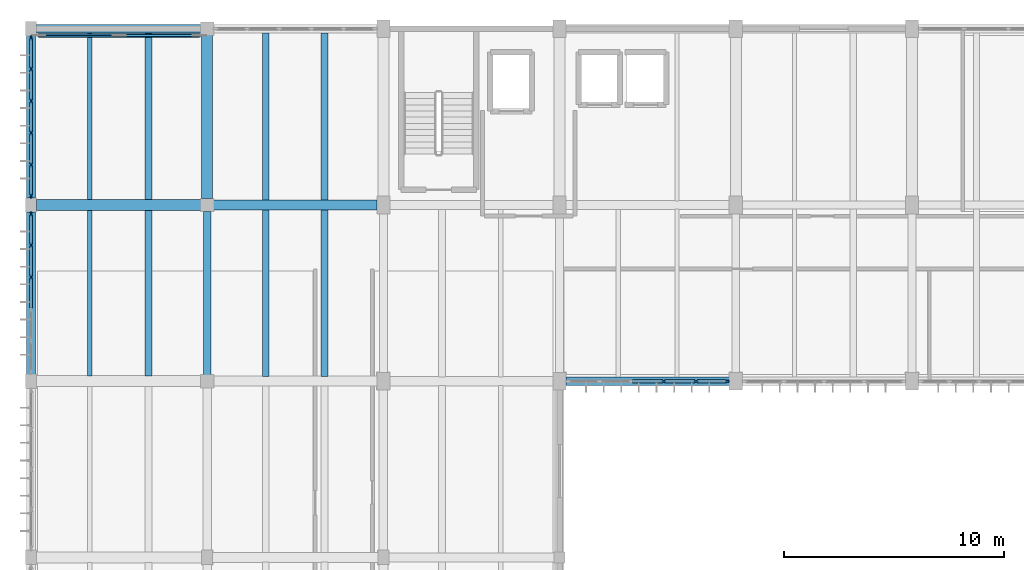
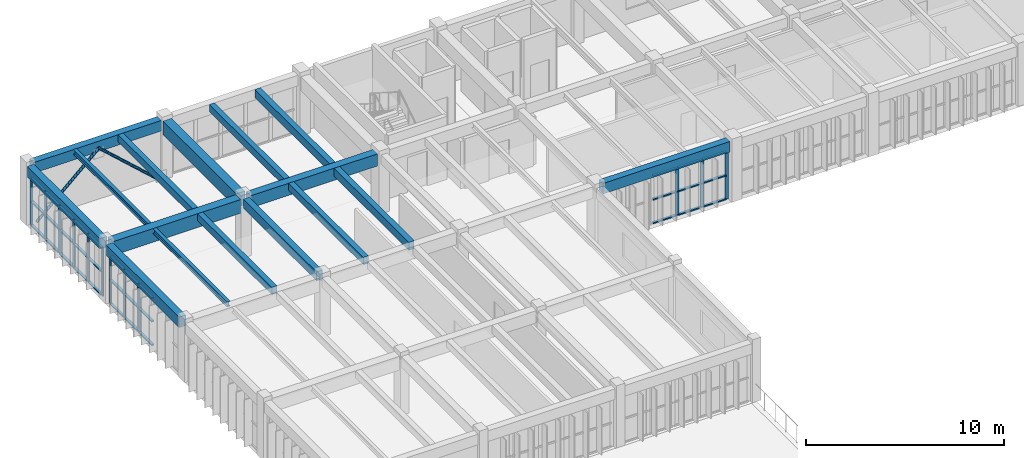
# One storey, part 4 of 31: 47 members, 16 beams, 3 elements without a shape of their own.
"""IFC4 building model written with IfcOpenShell, lengths in metres."""

from ifc_helpers import new_model, si_unit, direction, frame, origin, origin_2d, place, context, subcontext, project, spatial, rectangle, hollow_circle, i_section, extrude, material, material_profile, profile_set, type_object, element, aggregate, save


model = new_model("IFC4")

# Units and contexts
model_context = context("Model", 3, precision=1e-05, world=origin(), true_north=direction((0.0, 1.0)))
body_context = subcontext(model_context, "Body", "Model", "MODEL_VIEW")
ifc_project = project(units=[si_unit("LENGTHUNIT", "METRE"), si_unit("AREAUNIT", "SQUARE_METRE"), si_unit("VOLUMEUNIT", "CUBIC_METRE"), si_unit("PLANEANGLEUNIT", "RADIAN"), si_unit("MASSUNIT", "GRAM", prefix="KILO")], contexts=[model_context])

# Site, building, storey
site_placement = place(None, origin())
site = spatial("IfcSite", under=ifc_project, at=site_placement, CompositionType="ELEMENT")
building_placement = place(site_placement, origin())
building = spatial("IfcBuilding", under=site, at=building_placement, Name="Tlaxcora Railside Police Headquarters", CompositionType="ELEMENT")
storey_placement = place(building_placement, frame((0.0, 0.0, 18.0)))
storey = spatial("IfcBuildingStorey", under=building, at=storey_placement, Name="L04", CompositionType="ELEMENT", Elevation=18.0)

# Curtain wall, members
ifc_material_1 = material(Name="Thermally broken low-E insulated glazing", Category="glass")
curtain_wall_type_1 = type_object("IfcCurtainWallType", Name="Unitised Curtain Wall Assembly CW-38", PredefinedType="NOTDEFINED", material=ifc_material_1)
curtain_wall_1_placement = place(storey_placement, origin())
curtain_wall_1 = element("IfcCurtainWall", 1, at=curtain_wall_1_placement, inside=storey, type_object=curtain_wall_type_1, Name="V5 L04 curtain wall 101", PredefinedType="NOTDEFINED")
ifc_material_2 = material(Name="Anodised aluminium framing", Category="aluminium")
ifc_material_profile_1 = material_profile(ifc_material_2, rectangle(XDim=0.074951171875, YDim=0.205078125, at=origin_2d()), Name="AL75X205")
ifc_profile_set_1 = profile_set([ifc_material_profile_1], Name="Anodised aluminium framing")
member_type_1 = type_object("IfcMemberType", Name="Curtain Wall Mullion CW-32", PredefinedType="MULLION", material=ifc_profile_set_1)
member_1_placement = place(storey_placement, frame((5.199951171875, 92.387451171875, 0.0), z_axis=(0.0, 0.0, 1.0), x_axis=(1.0, 0.0, 0.0)))
member_1 = element("IfcMember", 2, at=member_1_placement, type_object=member_type_1, Name="CW mullion 1", PredefinedType="MULLION", context=body_context, shape_type="SweptSolid", body=[
    extrude(rectangle(XDim=0.074951171875, YDim=0.205078125, at=origin_2d()), origin(), (0.0, 0.0, 1.0), 2.969970703125),
])
member_2_placement = place(storey_placement, frame((5.199951171875, 90.97509765625, 0.0), z_axis=(0.0, 0.0, 1.0), x_axis=(1.0, 0.0, 0.0)))
member_2 = element("IfcMember", 3, at=member_2_placement, type_object=member_type_1, Name="CW mullion 2", PredefinedType="MULLION", context=body_context, shape_type="SweptSolid", body=[
    extrude(rectangle(XDim=0.074951171875, YDim=0.205078125, at=origin_2d()), origin(), (0.0, 0.0, 1.0), 2.969970703125),
])
member_3_placement = place(storey_placement, frame((5.199951171875, 89.52490234375, 0.0), z_axis=(0.0, 0.0, 1.0), x_axis=(1.0, 0.0, 0.0)))
member_3 = element("IfcMember", 4, at=member_3_placement, type_object=member_type_1, Name="CW mullion 3", PredefinedType="MULLION", context=body_context, shape_type="SweptSolid", body=[
    extrude(rectangle(XDim=0.074951171875, YDim=0.205078125, at=origin_2d()), origin(), (0.0, 0.0, 1.0), 2.969970703125),
])
member_4_placement = place(storey_placement, frame((5.199951171875, 88.074951171875, 0.0), z_axis=(0.0, 0.0, 1.0), x_axis=(1.0, 0.0, 0.0)))
member_4 = element("IfcMember", 5, at=member_4_placement, type_object=member_type_1, Name="CW mullion 4", PredefinedType="MULLION", context=body_context, shape_type="SweptSolid", body=[
    extrude(rectangle(XDim=0.074951171875, YDim=0.205078125, at=origin_2d()), origin(), (0.0, 0.0, 1.0), 2.969970703125),
])
member_5_placement = place(storey_placement, frame((5.199951171875, 86.625, 0.0), z_axis=(0.0, 0.0, 1.0), x_axis=(1.0, 0.0, 0.0)))
member_5 = element("IfcMember", 6, at=member_5_placement, type_object=member_type_1, Name="CW mullion 5", PredefinedType="MULLION", context=body_context, shape_type="SweptSolid", body=[
    extrude(rectangle(XDim=0.074951171875, YDim=0.205078125, at=origin_2d()), origin(), (0.0, 0.0, 1.0), 2.969970703125),
])
member_6_placement = place(storey_placement, frame((5.199951171875, 85.21240234375, 0.0), z_axis=(0.0, 0.0, 1.0), x_axis=(1.0, 0.0, 0.0)))
member_6 = element("IfcMember", 7, at=member_6_placement, type_object=member_type_1, Name="CW mullion 6", PredefinedType="MULLION", context=body_context, shape_type="SweptSolid", body=[
    extrude(rectangle(XDim=0.074951171875, YDim=0.205078125, at=origin_2d()), origin(), (0.0, 0.0, 1.0), 2.969970703125),
])

curtain_wall_type_2 = type_object("IfcCurtainWallType", Name="Unitised Curtain Wall Assembly CW-15", PredefinedType="NOTDEFINED", material=ifc_material_1)
curtain_wall_2_placement = place(storey_placement, origin())
curtain_wall_2 = element("IfcCurtainWall", 8, at=curtain_wall_2_placement, inside=storey, type_object=curtain_wall_type_2, Name="V5 L04 curtain wall 90", PredefinedType="NOTDEFINED")
ifc_material_profile_2 = material_profile(ifc_material_2, rectangle(XDim=0.074951171875, YDim=0.199951171875, at=origin_2d()), Name="AL75X200")
ifc_profile_set_2 = profile_set([ifc_material_profile_2], Name="Anodised aluminium framing")
member_type_2 = type_object("IfcMemberType", Name="Curtain Wall Mullion CW-58", PredefinedType="MULLION", material=ifc_profile_set_2)
member_7_placement = place(storey_placement, frame((33.929931640625, 76.800048828125, 0.0), z_axis=(0.0, 0.0, 1.0), x_axis=(0.0, 1.0, 0.0)))
member_7 = element("IfcMember", 9, at=member_7_placement, type_object=member_type_2, Name="CW mullion 4", PredefinedType="MULLION", context=body_context, shape_type="SweptSolid", body=[
    extrude(rectangle(XDim=0.074951171875, YDim=0.199951171875, at=origin_2d()), origin(), (0.0, 0.0, 1.0), 2.969970703125),
])
member_8_placement = place(storey_placement, frame((35.389892578125, 76.800048828125, 0.0), z_axis=(0.0, 0.0, 1.0), x_axis=(0.0, 1.0, 0.0)))
member_8 = element("IfcMember", 10, at=member_8_placement, type_object=member_type_2, Name="CW mullion 5", PredefinedType="MULLION", context=body_context, shape_type="SweptSolid", body=[
    extrude(rectangle(XDim=0.074951171875, YDim=0.199951171875, at=origin_2d()), origin(), (0.0, 0.0, 1.0), 2.969970703125),
])
member_9_placement = place(storey_placement, frame((36.8125, 76.800048828125, 0.0), z_axis=(0.0, 0.0, 1.0), x_axis=(0.0, 1.0, 0.0)))
member_9 = element("IfcMember", 11, at=member_9_placement, type_object=member_type_2, Name="CW mullion 6", PredefinedType="MULLION", context=body_context, shape_type="SweptSolid", body=[
    extrude(rectangle(XDim=0.074951171875, YDim=0.199951171875, at=origin_2d()), origin(), (0.0, 0.0, 1.0), 2.969970703125),
])

curtain_wall_3_placement = place(storey_placement, origin())
curtain_wall_3 = element("IfcCurtainWall", 12, at=curtain_wall_3_placement, inside=storey, type_object=curtain_wall_type_2, Name="V5 L04 curtain wall 102", PredefinedType="NOTDEFINED")
member_10_placement = place(storey_placement, frame((5.199951171875, 84.387451171875, 0.0), z_axis=(0.0, 0.0, 1.0), x_axis=(1.0, 0.0, 0.0)))
member_10 = element("IfcMember", 13, at=member_10_placement, type_object=member_type_2, Name="CW mullion 1", PredefinedType="MULLION", context=body_context, shape_type="SweptSolid", body=[
    extrude(rectangle(XDim=0.074951171875, YDim=0.199951171875, at=origin_2d()), origin(), (0.0, 0.0, 1.0), 2.969970703125),
])
member_11_placement = place(storey_placement, frame((5.199951171875, 82.97509765625, 0.0), z_axis=(0.0, 0.0, 1.0), x_axis=(1.0, 0.0, 0.0)))
member_11 = element("IfcMember", 14, at=member_11_placement, type_object=member_type_2, Name="CW mullion 2", PredefinedType="MULLION", context=body_context, shape_type="SweptSolid", body=[
    extrude(rectangle(XDim=0.074951171875, YDim=0.199951171875, at=origin_2d()), origin(), (0.0, 0.0, 1.0), 2.969970703125),
])
member_12_placement = place(storey_placement, frame((5.199951171875, 81.52490234375, 0.0), z_axis=(0.0, 0.0, 1.0), x_axis=(1.0, 0.0, 0.0)))
member_12 = element("IfcMember", 15, at=member_12_placement, type_object=member_type_2, Name="CW mullion 3", PredefinedType="MULLION", context=body_context, shape_type="SweptSolid", body=[
    extrude(rectangle(XDim=0.074951171875, YDim=0.199951171875, at=origin_2d()), origin(), (0.0, 0.0, 1.0), 2.969970703125),
])

# Member
ifc_material_profile_3 = material_profile(ifc_material_2, rectangle(XDim=0.14990234375, YDim=0.074951171875, at=origin_2d()), Name="AL75X150")
ifc_profile_set_3 = profile_set([ifc_material_profile_3], Name="Anodised aluminium framing")
member_type_3 = type_object("IfcMemberType", Name="Curtain Wall Transom CW-28", PredefinedType="USERDEFINED", material=ifc_profile_set_3)
member_13_placement = place(storey_placement, frame((32.507568359375, 76.800048828125, 0.03759765625), z_axis=(1.0, 0.0, 0.0), x_axis=(0.0, 1.0, 0.0)))
member_13 = element("IfcMember", 16, at=member_13_placement, type_object=member_type_3, Name="CW transom 3.1", ObjectType="TRANSOM", PredefinedType="USERDEFINED", context=body_context, shape_type="SweptSolid", body=[
    extrude(rectangle(XDim=0.14990234375, YDim=0.074951171875, at=origin_2d()), origin(), (0.0, 0.0, 1.0), 1.385009765625),
])

member_14_placement = place(storey_placement, frame((32.507568359375, 76.800048828125, 1.4951171875), z_axis=(1.0, 0.0, 0.0), x_axis=(0.0, 1.0, 0.0)))
member_14 = element("IfcMember", 17, at=member_14_placement, type_object=member_type_3, Name="CW transom 3.2", ObjectType="TRANSOM", PredefinedType="USERDEFINED", context=body_context, shape_type="SweptSolid", body=[
    extrude(rectangle(XDim=0.14990234375, YDim=0.074951171875, at=origin_2d()), origin(), (0.0, 0.0, 1.0), 1.385009765625),
])

member_15_placement = place(storey_placement, frame((32.507568359375, 76.800048828125, 2.9326171875), z_axis=(1.0, 0.0, 0.0), x_axis=(0.0, 1.0, 0.0)))
member_15 = element("IfcMember", 18, at=member_15_placement, type_object=member_type_3, Name="CW transom 3.3", ObjectType="TRANSOM", PredefinedType="USERDEFINED", context=body_context, shape_type="SweptSolid", body=[
    extrude(rectangle(XDim=0.14990234375, YDim=0.074951171875, at=origin_2d()), origin(), (0.0, 0.0, 1.0), 1.385009765625),
])

member_16_placement = place(storey_placement, frame((33.967529296875, 76.800048828125, 0.03759765625), z_axis=(1.0, 0.0, 0.0), x_axis=(0.0, 1.0, 0.0)))
member_16 = element("IfcMember", 19, at=member_16_placement, type_object=member_type_3, Name="CW transom 4.1", ObjectType="TRANSOM", PredefinedType="USERDEFINED", context=body_context, shape_type="SweptSolid", body=[
    extrude(rectangle(XDim=0.14990234375, YDim=0.074951171875, at=origin_2d()), origin(), (0.0, 0.0, 1.0), 1.385009765625),
])

member_17_placement = place(storey_placement, frame((33.967529296875, 76.800048828125, 1.4951171875), z_axis=(1.0, 0.0, 0.0), x_axis=(0.0, 1.0, 0.0)))
member_17 = element("IfcMember", 20, at=member_17_placement, type_object=member_type_3, Name="CW transom 4.2", ObjectType="TRANSOM", PredefinedType="USERDEFINED", context=body_context, shape_type="SweptSolid", body=[
    extrude(rectangle(XDim=0.14990234375, YDim=0.074951171875, at=origin_2d()), origin(), (0.0, 0.0, 1.0), 1.385009765625),
])

member_18_placement = place(storey_placement, frame((33.967529296875, 76.800048828125, 2.9326171875), z_axis=(1.0, 0.0, 0.0), x_axis=(0.0, 1.0, 0.0)))
member_18 = element("IfcMember", 21, at=member_18_placement, type_object=member_type_3, Name="CW transom 4.3", ObjectType="TRANSOM", PredefinedType="USERDEFINED", context=body_context, shape_type="SweptSolid", body=[
    extrude(rectangle(XDim=0.14990234375, YDim=0.074951171875, at=origin_2d()), origin(), (0.0, 0.0, 1.0), 1.385009765625),
])

member_19_placement = place(storey_placement, frame((35.427490234375, 76.800048828125, 0.03759765625), z_axis=(1.0, 0.0, 0.0), x_axis=(0.0, 1.0, 0.0)))
member_19 = element("IfcMember", 22, at=member_19_placement, type_object=member_type_3, Name="CW transom 5.1", ObjectType="TRANSOM", PredefinedType="USERDEFINED", context=body_context, shape_type="SweptSolid", body=[
    extrude(rectangle(XDim=0.14990234375, YDim=0.074951171875, at=origin_2d()), origin(), (0.0, 0.0, 1.0), 1.347412109375),
])

member_20_placement = place(storey_placement, frame((35.427490234375, 76.800048828125, 1.4951171875), z_axis=(1.0, 0.0, 0.0), x_axis=(0.0, 1.0, 0.0)))
member_20 = element("IfcMember", 23, at=member_20_placement, type_object=member_type_3, Name="CW transom 5.2", ObjectType="TRANSOM", PredefinedType="USERDEFINED", context=body_context, shape_type="SweptSolid", body=[
    extrude(rectangle(XDim=0.14990234375, YDim=0.074951171875, at=origin_2d()), origin(), (0.0, 0.0, 1.0), 1.347412109375),
])

member_21_placement = place(storey_placement, frame((35.427490234375, 76.800048828125, 2.9326171875), z_axis=(1.0, 0.0, 0.0), x_axis=(0.0, 1.0, 0.0)))
member_21 = element("IfcMember", 24, at=member_21_placement, type_object=member_type_3, Name="CW transom 5.3", ObjectType="TRANSOM", PredefinedType="USERDEFINED", context=body_context, shape_type="SweptSolid", body=[
    extrude(rectangle(XDim=0.14990234375, YDim=0.074951171875, at=origin_2d()), origin(), (0.0, 0.0, 1.0), 1.347412109375),
])

aggregate(curtain_wall_2, [member_7, member_8, member_9, member_13, member_14, member_15, member_16, member_17, member_18, member_19, member_20, member_21])

member_22_placement = place(storey_placement, frame((5.199951171875, 84.35009765625, 0.03759765625), z_axis=(0.0, -1.0, 0.0), x_axis=(1.0, 0.0, 0.0)))
member_22 = element("IfcMember", 25, at=member_22_placement, type_object=member_type_3, Name="CW transom 1.1", ObjectType="TRANSOM", PredefinedType="USERDEFINED", context=body_context, shape_type="SweptSolid", body=[
    extrude(rectangle(XDim=0.14990234375, YDim=0.074951171875, at=origin_2d()), origin(), (0.0, 0.0, 1.0), 1.337646484375),
])

member_23_placement = place(storey_placement, frame((5.199951171875, 84.35009765625, 1.4951171875), z_axis=(0.0, -1.0, 0.0), x_axis=(1.0, 0.0, 0.0)))
member_23 = element("IfcMember", 26, at=member_23_placement, type_object=member_type_3, Name="CW transom 1.2", ObjectType="TRANSOM", PredefinedType="USERDEFINED", context=body_context, shape_type="SweptSolid", body=[
    extrude(rectangle(XDim=0.14990234375, YDim=0.074951171875, at=origin_2d()), origin(), (0.0, 0.0, 1.0), 1.337646484375),
])

member_24_placement = place(storey_placement, frame((5.199951171875, 84.35009765625, 2.9326171875), z_axis=(0.0, -1.0, 0.0), x_axis=(1.0, 0.0, 0.0)))
member_24 = element("IfcMember", 27, at=member_24_placement, type_object=member_type_3, Name="CW transom 1.3", ObjectType="TRANSOM", PredefinedType="USERDEFINED", context=body_context, shape_type="SweptSolid", body=[
    extrude(rectangle(XDim=0.14990234375, YDim=0.074951171875, at=origin_2d()), origin(), (0.0, 0.0, 1.0), 1.337646484375),
])

member_25_placement = place(storey_placement, frame((5.199951171875, 82.9375, 0.03759765625), z_axis=(0.0, -1.0, 0.0), x_axis=(1.0, 0.0, 0.0)))
member_25 = element("IfcMember", 28, at=member_25_placement, type_object=member_type_3, Name="CW transom 2.1", ObjectType="TRANSOM", PredefinedType="USERDEFINED", context=body_context, shape_type="SweptSolid", body=[
    extrude(rectangle(XDim=0.14990234375, YDim=0.074951171875, at=origin_2d()), origin(), (0.0, 0.0, 1.0), 1.375),
])

member_26_placement = place(storey_placement, frame((5.199951171875, 82.9375, 1.4951171875), z_axis=(0.0, -1.0, 0.0), x_axis=(1.0, 0.0, 0.0)))
member_26 = element("IfcMember", 29, at=member_26_placement, type_object=member_type_3, Name="CW transom 2.2", ObjectType="TRANSOM", PredefinedType="USERDEFINED", context=body_context, shape_type="SweptSolid", body=[
    extrude(rectangle(XDim=0.14990234375, YDim=0.074951171875, at=origin_2d()), origin(), (0.0, 0.0, 1.0), 1.375),
])

member_27_placement = place(storey_placement, frame((5.199951171875, 82.9375, 2.9326171875), z_axis=(0.0, -1.0, 0.0), x_axis=(1.0, 0.0, 0.0)))
member_27 = element("IfcMember", 30, at=member_27_placement, type_object=member_type_3, Name="CW transom 2.3", ObjectType="TRANSOM", PredefinedType="USERDEFINED", context=body_context, shape_type="SweptSolid", body=[
    extrude(rectangle(XDim=0.14990234375, YDim=0.074951171875, at=origin_2d()), origin(), (0.0, 0.0, 1.0), 1.375),
])

member_28_placement = place(storey_placement, frame((5.199951171875, 81.487548828125, 0.03759765625), z_axis=(0.0, -1.0, 0.0), x_axis=(1.0, 0.0, 0.0)))
member_28 = element("IfcMember", 31, at=member_28_placement, type_object=member_type_3, Name="CW transom 3.1", ObjectType="TRANSOM", PredefinedType="USERDEFINED", context=body_context, shape_type="SweptSolid", body=[
    extrude(rectangle(XDim=0.14990234375, YDim=0.074951171875, at=origin_2d()), origin(), (0.0, 0.0, 1.0), 1.375),
])

member_29_placement = place(storey_placement, frame((5.199951171875, 81.487548828125, 1.4951171875), z_axis=(0.0, -1.0, 0.0), x_axis=(1.0, 0.0, 0.0)))
member_29 = element("IfcMember", 32, at=member_29_placement, type_object=member_type_3, Name="CW transom 3.2", ObjectType="TRANSOM", PredefinedType="USERDEFINED", context=body_context, shape_type="SweptSolid", body=[
    extrude(rectangle(XDim=0.14990234375, YDim=0.074951171875, at=origin_2d()), origin(), (0.0, 0.0, 1.0), 1.375),
])

member_30_placement = place(storey_placement, frame((5.199951171875, 81.487548828125, 2.9326171875), z_axis=(0.0, -1.0, 0.0), x_axis=(1.0, 0.0, 0.0)))
member_30 = element("IfcMember", 33, at=member_30_placement, type_object=member_type_3, Name="CW transom 3.3", ObjectType="TRANSOM", PredefinedType="USERDEFINED", context=body_context, shape_type="SweptSolid", body=[
    extrude(rectangle(XDim=0.14990234375, YDim=0.074951171875, at=origin_2d()), origin(), (0.0, 0.0, 1.0), 1.375),
])

aggregate(curtain_wall_3, [member_10, member_11, member_12, member_22, member_23, member_24, member_25, member_26, member_27, member_28, member_29, member_30])

ifc_material_profile_4 = material_profile(ifc_material_2, rectangle(XDim=0.155029296875, YDim=0.074951171875, at=origin_2d()), Name="AL75X155")
ifc_profile_set_4 = profile_set([ifc_material_profile_4], Name="Anodised aluminium framing")
member_type_4 = type_object("IfcMemberType", Name="Curtain Wall Transom CW-30", PredefinedType="USERDEFINED", material=ifc_profile_set_4)
member_31_placement = place(storey_placement, frame((5.199951171875, 92.35009765625, 0.03759765625), z_axis=(0.0, -1.0, 0.0), x_axis=(1.0, 0.0, 0.0)))
member_31 = element("IfcMember", 34, at=member_31_placement, type_object=member_type_4, Name="CW transom 1.1", ObjectType="TRANSOM", PredefinedType="USERDEFINED", context=body_context, shape_type="SweptSolid", body=[
    extrude(rectangle(XDim=0.155029296875, YDim=0.074951171875, at=origin_2d()), origin(), (0.0, 0.0, 1.0), 1.337646484375),
])

member_32_placement = place(storey_placement, frame((5.199951171875, 92.35009765625, 1.4951171875), z_axis=(0.0, -1.0, 0.0), x_axis=(1.0, 0.0, 0.0)))
member_32 = element("IfcMember", 35, at=member_32_placement, type_object=member_type_4, Name="CW transom 1.2", ObjectType="TRANSOM", PredefinedType="USERDEFINED", context=body_context, shape_type="SweptSolid", body=[
    extrude(rectangle(XDim=0.155029296875, YDim=0.074951171875, at=origin_2d()), origin(), (0.0, 0.0, 1.0), 1.337646484375),
])

member_33_placement = place(storey_placement, frame((5.199951171875, 92.35009765625, 2.9326171875), z_axis=(0.0, -1.0, 0.0), x_axis=(1.0, 0.0, 0.0)))
member_33 = element("IfcMember", 36, at=member_33_placement, type_object=member_type_4, Name="CW transom 1.3", ObjectType="TRANSOM", PredefinedType="USERDEFINED", context=body_context, shape_type="SweptSolid", body=[
    extrude(rectangle(XDim=0.155029296875, YDim=0.074951171875, at=origin_2d()), origin(), (0.0, 0.0, 1.0), 1.337646484375),
])

member_34_placement = place(storey_placement, frame((5.199951171875, 90.9375, 0.03759765625), z_axis=(0.0, -1.0, 0.0), x_axis=(1.0, 0.0, 0.0)))
member_34 = element("IfcMember", 37, at=member_34_placement, type_object=member_type_4, Name="CW transom 2.1", ObjectType="TRANSOM", PredefinedType="USERDEFINED", context=body_context, shape_type="SweptSolid", body=[
    extrude(rectangle(XDim=0.155029296875, YDim=0.074951171875, at=origin_2d()), origin(), (0.0, 0.0, 1.0), 1.375),
])

member_35_placement = place(storey_placement, frame((5.199951171875, 90.9375, 1.4951171875), z_axis=(0.0, -1.0, 0.0), x_axis=(1.0, 0.0, 0.0)))
member_35 = element("IfcMember", 38, at=member_35_placement, type_object=member_type_4, Name="CW transom 2.2", ObjectType="TRANSOM", PredefinedType="USERDEFINED", context=body_context, shape_type="SweptSolid", body=[
    extrude(rectangle(XDim=0.155029296875, YDim=0.074951171875, at=origin_2d()), origin(), (0.0, 0.0, 1.0), 1.375),
])

member_36_placement = place(storey_placement, frame((5.199951171875, 90.9375, 2.9326171875), z_axis=(0.0, -1.0, 0.0), x_axis=(1.0, 0.0, 0.0)))
member_36 = element("IfcMember", 39, at=member_36_placement, type_object=member_type_4, Name="CW transom 2.3", ObjectType="TRANSOM", PredefinedType="USERDEFINED", context=body_context, shape_type="SweptSolid", body=[
    extrude(rectangle(XDim=0.155029296875, YDim=0.074951171875, at=origin_2d()), origin(), (0.0, 0.0, 1.0), 1.375),
])

member_37_placement = place(storey_placement, frame((5.199951171875, 89.487548828125, 0.03759765625), z_axis=(0.0, -1.0, 0.0), x_axis=(1.0, 0.0, 0.0)))
member_37 = element("IfcMember", 40, at=member_37_placement, type_object=member_type_4, Name="CW transom 3.1", ObjectType="TRANSOM", PredefinedType="USERDEFINED", context=body_context, shape_type="SweptSolid", body=[
    extrude(rectangle(XDim=0.155029296875, YDim=0.074951171875, at=origin_2d()), origin(), (0.0, 0.0, 1.0), 1.375),
])

member_38_placement = place(storey_placement, frame((5.199951171875, 89.487548828125, 1.4951171875), z_axis=(0.0, -1.0, 0.0), x_axis=(1.0, 0.0, 0.0)))
member_38 = element("IfcMember", 41, at=member_38_placement, type_object=member_type_4, Name="CW transom 3.2", ObjectType="TRANSOM", PredefinedType="USERDEFINED", context=body_context, shape_type="SweptSolid", body=[
    extrude(rectangle(XDim=0.155029296875, YDim=0.074951171875, at=origin_2d()), origin(), (0.0, 0.0, 1.0), 1.375),
])

member_39_placement = place(storey_placement, frame((5.199951171875, 89.487548828125, 2.9326171875), z_axis=(0.0, -1.0, 0.0), x_axis=(1.0, 0.0, 0.0)))
member_39 = element("IfcMember", 42, at=member_39_placement, type_object=member_type_4, Name="CW transom 3.3", ObjectType="TRANSOM", PredefinedType="USERDEFINED", context=body_context, shape_type="SweptSolid", body=[
    extrude(rectangle(XDim=0.155029296875, YDim=0.074951171875, at=origin_2d()), origin(), (0.0, 0.0, 1.0), 1.375),
])

member_40_placement = place(storey_placement, frame((5.199951171875, 88.03759765625, 0.03759765625), z_axis=(0.0, -1.0, 0.0), x_axis=(1.0, 0.0, 0.0)))
member_40 = element("IfcMember", 43, at=member_40_placement, type_object=member_type_4, Name="CW transom 4.1", ObjectType="TRANSOM", PredefinedType="USERDEFINED", context=body_context, shape_type="SweptSolid", body=[
    extrude(rectangle(XDim=0.155029296875, YDim=0.074951171875, at=origin_2d()), origin(), (0.0, 0.0, 1.0), 1.375),
])

member_41_placement = place(storey_placement, frame((5.199951171875, 88.03759765625, 1.4951171875), z_axis=(0.0, -1.0, 0.0), x_axis=(1.0, 0.0, 0.0)))
member_41 = element("IfcMember", 44, at=member_41_placement, type_object=member_type_4, Name="CW transom 4.2", ObjectType="TRANSOM", PredefinedType="USERDEFINED", context=body_context, shape_type="SweptSolid", body=[
    extrude(rectangle(XDim=0.155029296875, YDim=0.074951171875, at=origin_2d()), origin(), (0.0, 0.0, 1.0), 1.375),
])

member_42_placement = place(storey_placement, frame((5.199951171875, 88.03759765625, 2.9326171875), z_axis=(0.0, -1.0, 0.0), x_axis=(1.0, 0.0, 0.0)))
member_42 = element("IfcMember", 45, at=member_42_placement, type_object=member_type_4, Name="CW transom 4.3", ObjectType="TRANSOM", PredefinedType="USERDEFINED", context=body_context, shape_type="SweptSolid", body=[
    extrude(rectangle(XDim=0.155029296875, YDim=0.074951171875, at=origin_2d()), origin(), (0.0, 0.0, 1.0), 1.375),
])

member_43_placement = place(storey_placement, frame((5.199951171875, 86.58740234375, 0.03759765625), z_axis=(0.0, -1.0, 0.0), x_axis=(1.0, 0.0, 0.0)))
member_43 = element("IfcMember", 46, at=member_43_placement, type_object=member_type_4, Name="CW transom 5.1", ObjectType="TRANSOM", PredefinedType="USERDEFINED", context=body_context, shape_type="SweptSolid", body=[
    extrude(rectangle(XDim=0.155029296875, YDim=0.074951171875, at=origin_2d()), origin(), (0.0, 0.0, 1.0), 1.33740234375),
])

member_44_placement = place(storey_placement, frame((5.199951171875, 86.58740234375, 1.4951171875), z_axis=(0.0, -1.0, 0.0), x_axis=(1.0, 0.0, 0.0)))
member_44 = element("IfcMember", 47, at=member_44_placement, type_object=member_type_4, Name="CW transom 5.2", ObjectType="TRANSOM", PredefinedType="USERDEFINED", context=body_context, shape_type="SweptSolid", body=[
    extrude(rectangle(XDim=0.155029296875, YDim=0.074951171875, at=origin_2d()), origin(), (0.0, 0.0, 1.0), 1.33740234375),
])

member_45_placement = place(storey_placement, frame((5.199951171875, 86.58740234375, 2.9326171875), z_axis=(0.0, -1.0, 0.0), x_axis=(1.0, 0.0, 0.0)))
member_45 = element("IfcMember", 48, at=member_45_placement, type_object=member_type_4, Name="CW transom 5.3", ObjectType="TRANSOM", PredefinedType="USERDEFINED", context=body_context, shape_type="SweptSolid", body=[
    extrude(rectangle(XDim=0.155029296875, YDim=0.074951171875, at=origin_2d()), origin(), (0.0, 0.0, 1.0), 1.33740234375),
])

aggregate(curtain_wall_1, [member_1, member_2, member_3, member_4, member_5, member_6, member_31, member_32, member_33, member_34, member_35, member_36, member_37, member_38, member_39, member_40, member_41, member_42, member_43, member_44, member_45])

# Members
ifc_material_3 = material(Name="Steel ASTM A992 Grade 50", Category="steel")
ifc_material_profile_5 = material_profile(ifc_material_3, hollow_circle(Radius=0.083984375, WallThickness=0.008056640625, at=origin_2d()), Name="CHS168X8")
ifc_profile_set_5 = profile_set([ifc_material_profile_5], Name="Steel ASTM A992 Grade 50")
member_type_5 = type_object("IfcMemberType", Name="Diagonal Brace Member MB-55", PredefinedType="BRACE", material=ifc_profile_set_5)
for number, where, z_axis, x_axis, name in (
    (49, (5.550048828125, 92.5, 0.0), (0.74176259796, 0.0, 0.670662544256), (0.0, 1.0, 0.0), "Chevron brace 4A"),
    (50, (12.85009765625, 92.5, 0.0), (-0.741784913524, 0.0, 0.67063786209), (0.0, -1.0, 0.0), "Chevron brace 4B"),
):
    element("IfcMember", number, at=place(storey_placement, frame(where, z_axis=z_axis, x_axis=x_axis)), inside=storey, type_object=member_type_5, Name=name, PredefinedType="BRACE", context=body_context, shape_type="SweptSolid", body=[
        extrude(hollow_circle(Radius=0.083984375, WallThickness=0.008056640625, at=origin_2d()), origin(), (0.0, 0.0, 1.0), 4.920654296875),
    ])

# Beams
ifc_material_4 = material(Name="Concrete C40/50", Category="concrete")
ifc_material_profile_6 = material_profile(ifc_material_4, rectangle(XDim=0.39990234375, YDim=0.64990234375, at=origin_2d()), Name="RC400X650")
ifc_profile_set_6 = profile_set([ifc_material_profile_6], Name="Concrete C40/50")
beam_type_1 = type_object("IfcBeamType", Name="Perimeter Spandrel Beam BM-46", PredefinedType="SPANDREL", material=ifc_profile_set_6)
beam_1_placement = place(storey_placement, frame((29.489990234375, 76.800048828125, 3.31494140625), z_axis=(1.0, 0.0, 0.0), x_axis=(0.0, 1.0, 0.0)))
element("IfcBeam", 51, at=beam_1_placement, inside=storey, type_object=beam_type_1, Name="V5 L04 X-girder Y=76.8", PredefinedType="SPANDREL", context=body_context, shape_type="SweptSolid", body=[
    extrude(rectangle(XDim=0.39990234375, YDim=0.64990234375, at=origin_2d()), origin(), (0.0, 0.0, 1.0), 7.419921875),
])
beam_2_placement = place(storey_placement, frame((5.43994140625, 92.800048828125, 3.31494140625), z_axis=(1.0, 0.0, 0.0), x_axis=(0.0, 1.0, 0.0)))
element("IfcBeam", 52, at=beam_2_placement, inside=storey, type_object=beam_type_1, Name="V5 L04 X-girder Y=92.8", PredefinedType="SPANDREL", context=body_context, shape_type="SweptSolid", body=[
    extrude(rectangle(XDim=0.39990234375, YDim=0.64990234375, at=origin_2d()), origin(), (0.0, 0.0, 1.0), 7.469970703125),
])
for number, where, z_axis, x_axis, name in (
    (53, (5.199951171875, 77.114990234375, 3.31494140625), (0.0, 1.0, 0.0), (-1.0, 0.0, 0.0), "V5 L04 Y-girder X=5.2"),
    (54, (5.199951171875, 85.114990234375, 3.31494140625), (0.0, 1.0, 0.0), (-1.0, 0.0, 0.0), "V5 L04 Y-girder X=5.2"),
):
    element("IfcBeam", number, at=place(storey_placement, frame(where, z_axis=z_axis, x_axis=x_axis)), inside=storey, type_object=beam_type_1, Name=name, PredefinedType="SPANDREL", context=body_context, shape_type="SweptSolid", body=[
        extrude(rectangle(XDim=0.39990234375, YDim=0.64990234375, at=origin_2d()), origin(), (0.0, 0.0, 1.0), 7.3701171875),
    ])
ifc_material_profile_7 = material_profile(ifc_material_4, rectangle(XDim=0.35009765625, YDim=0.550048828125, at=origin_2d()), Name="RC350X550")
ifc_profile_set_7 = profile_set([ifc_material_profile_7], Name="Concrete C40/50")
beam_type_2 = type_object("IfcBeamType", Name="Primary Frame Girder BM-39", PredefinedType="BEAM", material=ifc_profile_set_7)
beam_3_placement = place(storey_placement, frame((13.199951171875, 77.090087890625, 3.364990234375), z_axis=(0.0, 1.0, 0.0), x_axis=(-1.0, 0.0, 0.0)))
element("IfcBeam", 55, at=beam_3_placement, inside=storey, type_object=beam_type_2, Name="V5 L04 Y-girder X=13.2", PredefinedType="BEAM", context=body_context, shape_type="SweptSolid", body=[
    extrude(rectangle(XDim=0.35009765625, YDim=0.550048828125, at=origin_2d()), origin(), (0.0, 0.0, 1.0), 7.419921875),
])
ifc_material_profile_8 = material_profile(ifc_material_4, rectangle(XDim=0.5, YDim=0.85009765625, at=origin_2d()), Name="RC500X850")
ifc_profile_set_8 = profile_set([ifc_material_profile_8], Name="Concrete C40/50")
beam_type_3 = type_object("IfcBeamType", Name="Primary Frame Girder BM-64", PredefinedType="BEAM", material=ifc_profile_set_8)
beam_4_placement = place(storey_placement, frame((5.43994140625, 84.800048828125, 3.215087890625), z_axis=(1.0, 0.0, 0.0), x_axis=(0.0, 1.0, 0.0)))
element("IfcBeam", 56, at=beam_4_placement, inside=storey, type_object=beam_type_3, Name="V5 L04 X-girder Y=84.8", PredefinedType="BEAM", context=body_context, shape_type="SweptSolid", body=[
    extrude(rectangle(XDim=0.5, YDim=0.85009765625, at=origin_2d()), origin(), (0.0, 0.0, 1.0), 7.469970703125),
])
beam_5_placement = place(storey_placement, frame((13.199951171875, 85.090087890625, 3.215087890625), z_axis=(0.0, 1.0, 0.0), x_axis=(-1.0, 0.0, 0.0)))
element("IfcBeam", 57, at=beam_5_placement, inside=storey, type_object=beam_type_3, Name="V5 L04 Y-girder X=13.2", PredefinedType="BEAM", context=body_context, shape_type="SweptSolid", body=[
    extrude(rectangle(XDim=0.5, YDim=0.85009765625, at=origin_2d()), origin(), (0.0, 0.0, 1.0), 7.419921875),
])
ifc_material_profile_9 = material_profile(ifc_material_4, rectangle(XDim=0.449951171875, YDim=0.75, at=origin_2d()), Name="RC450X750")
ifc_profile_set_9 = profile_set([ifc_material_profile_9], Name="Concrete C40/50")
beam_type_4 = type_object("IfcBeamType", Name="Primary Frame Girder BM-73", PredefinedType="BEAM", material=ifc_profile_set_9)
beam_6_placement = place(storey_placement, frame((13.489990234375, 84.800048828125, 3.264892578125), z_axis=(1.0, 0.0, 0.0), x_axis=(0.0, 1.0, 0.0)))
element("IfcBeam", 58, at=beam_6_placement, inside=storey, type_object=beam_type_4, Name="V5 L04 X-girder Y=84.8", PredefinedType="BEAM", context=body_context, shape_type="SweptSolid", body=[
    extrude(rectangle(XDim=0.449951171875, YDim=0.75, at=origin_2d()), origin(), (0.0, 0.0, 1.0), 7.419921875),
])
ifc_material_5 = material(Name="Concrete C35/45", Category="concrete")
ifc_material_profile_10 = material_profile(ifc_material_5, rectangle(XDim=0.300048828125, YDim=0.449951171875, at=origin_2d()), Name="RC300X450")
ifc_profile_set_10 = profile_set([ifc_material_profile_10], Name="Concrete C35/45")
beam_type_5 = type_object("IfcBeamType", Name="Secondary Floor Joist BM-27", PredefinedType="JOIST", material=ifc_profile_set_10)
beam_7_placement = place(storey_placement, frame((10.533203125, 77.0419921875, 3.4150390625), z_axis=(0.0, 1.0, 0.0), x_axis=(-1.0, 0.0, 0.0)))
element("IfcBeam", 59, at=beam_7_placement, inside=storey, type_object=beam_type_5, Name="V5 L04 floor joist X=10.53", PredefinedType="JOIST", context=body_context, shape_type="SweptSolid", body=[
    extrude(rectangle(XDim=0.300048828125, YDim=0.449951171875, at=origin_2d()), origin(), (0.0, 0.0, 1.0), 7.51611328125),
])
for number, where, z_axis, x_axis, name in (
    (60, (15.86669921875, 77.01708984375, 3.4150390625), (0.0, 1.0, 0.0), (-1.0, 0.0, 0.0), "V5 L04 floor joist X=15.87"),
    (61, (10.533203125, 85.0419921875, 3.4150390625), (0.0, 1.0, 0.0), (-1.0, 0.0, 0.0), "V5 L04 floor joist X=10.53"),
):
    element("IfcBeam", number, at=place(storey_placement, frame(where, z_axis=z_axis, x_axis=x_axis)), inside=storey, type_object=beam_type_5, Name=name, PredefinedType="JOIST", context=body_context, shape_type="SweptSolid", body=[
        extrude(rectangle(XDim=0.300048828125, YDim=0.449951171875, at=origin_2d()), origin(), (0.0, 0.0, 1.0), 7.56591796875),
    ])
beam_8_placement = place(storey_placement, frame((15.86669921875, 85.01708984375, 3.4150390625), z_axis=(0.0, 1.0, 0.0), x_axis=(-1.0, 0.0, 0.0)))
element("IfcBeam", 62, at=beam_8_placement, inside=storey, type_object=beam_type_5, Name="V5 L04 floor joist X=15.87", PredefinedType="JOIST", context=body_context, shape_type="SweptSolid", body=[
    extrude(rectangle(XDim=0.300048828125, YDim=0.449951171875, at=origin_2d()), origin(), (0.0, 0.0, 1.0), 7.5908203125),
])
ifc_material_profile_11 = material_profile(ifc_material_5, rectangle(XDim=0.320068359375, YDim=0.5, at=origin_2d()), Name="RC320X500")
ifc_profile_set_11 = profile_set([ifc_material_profile_11], Name="Concrete C35/45")
beam_type_6 = type_object("IfcBeamType", Name="Secondary Floor Joist BM-88", PredefinedType="JOIST", material=ifc_profile_set_11)
beam_9_placement = place(storey_placement, frame((18.533203125, 77.01708984375, 3.389892578125), z_axis=(0.0, 1.0, 0.0), x_axis=(-1.0, 0.0, 0.0)))
element("IfcBeam", 63, at=beam_9_placement, inside=storey, type_object=beam_type_6, Name="V5 L04 floor joist X=18.53", PredefinedType="JOIST", context=body_context, shape_type="SweptSolid", body=[
    extrude(rectangle(XDim=0.320068359375, YDim=0.5, at=origin_2d()), origin(), (0.0, 0.0, 1.0), 7.56591796875),
])
beam_10_placement = place(storey_placement, frame((18.533203125, 85.01708984375, 3.389892578125), z_axis=(0.0, 1.0, 0.0), x_axis=(-1.0, 0.0, 0.0)))
element("IfcBeam", 64, at=beam_10_placement, inside=storey, type_object=beam_type_6, Name="V5 L04 floor joist X=18.53", PredefinedType="JOIST", context=body_context, shape_type="SweptSolid", body=[
    extrude(rectangle(XDim=0.320068359375, YDim=0.5, at=origin_2d()), origin(), (0.0, 0.0, 1.0), 7.5908203125),
])
ifc_material_profile_12 = material_profile(ifc_material_3, i_section(OverallWidth=0.202880859375, OverallDepth=0.302978515625, WebThickness=0.007568359375, FlangeThickness=0.01318359375, at=origin_2d()), Name="W12X40")
ifc_profile_set_12 = profile_set([ifc_material_profile_12], Name="Steel ASTM A992 Grade 50")
beam_type_7 = type_object("IfcBeamType", Name="Secondary Floor Joist BM-96", PredefinedType="JOIST", material=ifc_profile_set_12)
beam_11_placement = place(storey_placement, frame((7.86669921875, 77.0419921875, 3.488525390625), z_axis=(0.0, 1.0, 0.0), x_axis=(-1.0, 0.0, 0.0)))
element("IfcBeam", 65, at=beam_11_placement, inside=storey, type_object=beam_type_7, Name="V5 L04 floor joist X=7.87", PredefinedType="JOIST", context=body_context, shape_type="SweptSolid", body=[
    extrude(i_section(OverallWidth=0.202880859375, OverallDepth=0.302978515625, WebThickness=0.007568359375, FlangeThickness=0.01318359375, at=origin_2d()), origin(), (0.0, 0.0, 1.0), 7.51611328125),
])
beam_12_placement = place(storey_placement, frame((7.86669921875, 85.0419921875, 3.488525390625), z_axis=(0.0, 1.0, 0.0), x_axis=(-1.0, 0.0, 0.0)))
element("IfcBeam", 66, at=beam_12_placement, inside=storey, type_object=beam_type_7, Name="V5 L04 floor joist X=7.87", PredefinedType="JOIST", context=body_context, shape_type="SweptSolid", body=[
    extrude(i_section(OverallWidth=0.202880859375, OverallDepth=0.302978515625, WebThickness=0.007568359375, FlangeThickness=0.01318359375, at=origin_2d()), origin(), (0.0, 0.0, 1.0), 7.56591796875),
])

save(model, "model.ifc")
